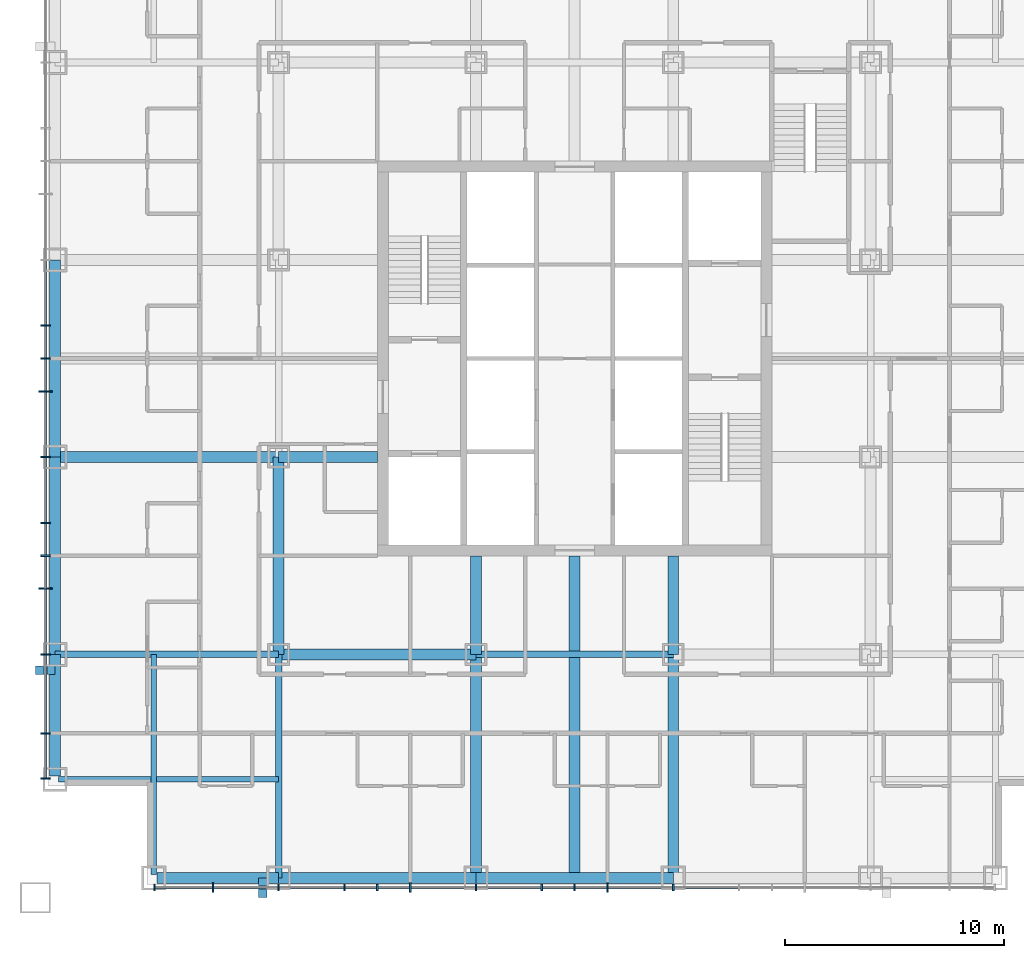
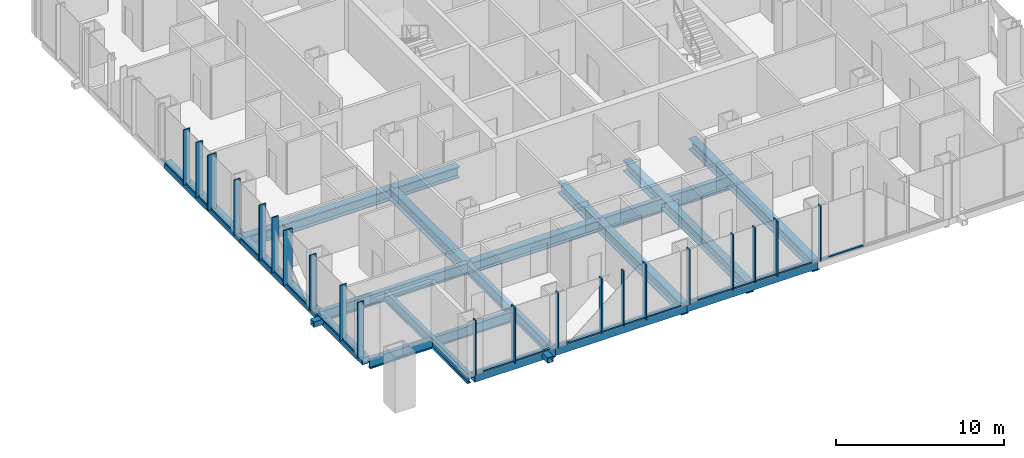
# One storey, part 2 of 16: 44 members, 20 beams, 2 elements without a shape of their own.
"""IFC4 building model written with IfcOpenShell, lengths in metres."""

from ifc_helpers import new_model, si_unit, direction, frame, origin, origin_2d, place, context, subcontext, project, spatial, rectangle, hollow_rectangle, i_section, extrude, material, layer, layer_set, material_profile, profile_set, type_object, element, aggregate, save


model = new_model("IFC4")

# Units and contexts
model_context = context("Model", 3, precision=1e-05, world=origin(), true_north=direction((0.0, 1.0)))
body_context = subcontext(model_context, "Body", "Model", "MODEL_VIEW")
ifc_project = project(units=[si_unit("LENGTHUNIT", "METRE"), si_unit("AREAUNIT", "SQUARE_METRE"), si_unit("VOLUMEUNIT", "CUBIC_METRE"), si_unit("PLANEANGLEUNIT", "RADIAN"), si_unit("MASSUNIT", "GRAM", prefix="KILO")], contexts=[model_context])

# Site, building, storey
site_placement = place(None, origin())
site = spatial("IfcSite", under=ifc_project, at=site_placement, CompositionType="ELEMENT")
building_placement = place(site_placement, origin())
building = spatial("IfcBuilding", under=site, at=building_placement, Name="Malebo Sky Hospital", CompositionType="ELEMENT")
storey_placement = place(building_placement, frame((0.0, 0.0, 108.0)))
storey = spatial("IfcBuildingStorey", under=building, at=storey_placement, Name="L25", CompositionType="ELEMENT", Elevation=108.0)

# Curtain wall, members
ifc_material_1 = material(Name="Anodised aluminium, natural silver", Category="aluminium")
ifc_layer_1 = layer(ifc_material_1, 0.25)
ifc_layer_set_1 = layer_set([ifc_layer_1], Name="WARD CURTAIN WALL EAST AND WEST")
curtain_wall_type_1 = type_object("IfcCurtainWallType", Name="WARD CURTAIN WALL EAST AND WEST", PredefinedType="NOTDEFINED", material=ifc_layer_set_1)
curtain_wall_1_placement = place(storey_placement, origin())
curtain_wall_1 = element("IfcCurtainWall", 1, at=curtain_wall_1_placement, inside=storey, type_object=curtain_wall_type_1, Name="EW curtain wall W", PredefinedType="NOTDEFINED")
ifc_material_profile_1 = material_profile(ifc_material_1, rectangle(XDim=0.14990234375, YDim=0.10009765625, at=origin_2d()), Name="ALUMINIUM TRANSOM 150x100")
ifc_profile_set_1 = profile_set([ifc_material_profile_1], Name="Anodised aluminium, natural silver")
member_type_1 = type_object("IfcMemberType", Name="ALUMINIUM TRANSOM 150x100", PredefinedType="USERDEFINED", material=ifc_profile_set_1)
member_1_placement = place(storey_placement, frame((35.864990234375, 42.875, 0.050048828125), z_axis=(0.0, 1.0, 0.0), x_axis=(-1.0, 0.0, 0.0)))
member_1 = element("IfcMember", 2, at=member_1_placement, type_object=member_type_1, Name="Transom 1", ObjectType="TRANSOM", PredefinedType="USERDEFINED", context=body_context, shape_type="SweptSolid", body=[
    extrude(rectangle(XDim=0.14990234375, YDim=0.10009765625, at=origin_2d()), origin(), (0.0, 0.0, 1.0), 1.987548828125),
])
member_2_placement = place(storey_placement, frame((35.864990234375, 44.9375, 0.050048828125), z_axis=(0.0, 1.0, 0.0), x_axis=(-1.0, 0.0, 0.0)))
member_2 = element("IfcMember", 3, at=member_2_placement, type_object=member_type_1, Name="Transom 2", ObjectType="TRANSOM", PredefinedType="USERDEFINED", context=body_context, shape_type="SweptSolid", body=[
    extrude(rectangle(XDim=0.14990234375, YDim=0.10009765625, at=origin_2d()), origin(), (0.0, 0.0, 1.0), 3.52490234375),
])
member_3_placement = place(storey_placement, frame((35.864990234375, 48.53759765625, 0.050048828125), z_axis=(0.0, 1.0, 0.0), x_axis=(-1.0, 0.0, 0.0)))
member_3 = element("IfcMember", 4, at=member_3_placement, type_object=member_type_1, Name="Transom 3", ObjectType="TRANSOM", PredefinedType="USERDEFINED", context=body_context, shape_type="SweptSolid", body=[
    extrude(rectangle(XDim=0.14990234375, YDim=0.10009765625, at=origin_2d()), origin(), (0.0, 0.0, 1.0), 2.9248046875),
])
member_4_placement = place(storey_placement, frame((35.864990234375, 51.53759765625, 0.050048828125), z_axis=(0.0, 1.0, 0.0), x_axis=(-1.0, 0.0, 0.0)))
member_4 = element("IfcMember", 5, at=member_4_placement, type_object=member_type_1, Name="Transom 4", ObjectType="TRANSOM", PredefinedType="USERDEFINED", context=body_context, shape_type="SweptSolid", body=[
    extrude(rectangle(XDim=0.14990234375, YDim=0.10009765625, at=origin_2d()), origin(), (0.0, 0.0, 1.0), 1.4248046875),
])
member_5_placement = place(storey_placement, frame((35.864990234375, 53.03759765625, 0.050048828125), z_axis=(0.0, 1.0, 0.0), x_axis=(-1.0, 0.0, 0.0)))
member_5 = element("IfcMember", 6, at=member_5_placement, type_object=member_type_1, Name="Transom 5", ObjectType="TRANSOM", PredefinedType="USERDEFINED", context=body_context, shape_type="SweptSolid", body=[
    extrude(rectangle(XDim=0.14990234375, YDim=0.10009765625, at=origin_2d()), origin(), (0.0, 0.0, 1.0), 1.4248046875),
])
member_6_placement = place(storey_placement, frame((35.864990234375, 54.53759765625, 0.050048828125), z_axis=(0.0, 1.0, 0.0), x_axis=(-1.0, 0.0, 0.0)))
member_6 = element("IfcMember", 7, at=member_6_placement, type_object=member_type_1, Name="Transom 6", ObjectType="TRANSOM", PredefinedType="USERDEFINED", context=body_context, shape_type="SweptSolid", body=[
    extrude(rectangle(XDim=0.14990234375, YDim=0.10009765625, at=origin_2d()), origin(), (0.0, 0.0, 1.0), 2.9248046875),
])
member_7_placement = place(storey_placement, frame((35.864990234375, 57.53759765625, 0.050048828125), z_axis=(0.0, 1.0, 0.0), x_axis=(-1.0, 0.0, 0.0)))
member_7 = element("IfcMember", 8, at=member_7_placement, type_object=member_type_1, Name="Transom 7", ObjectType="TRANSOM", PredefinedType="USERDEFINED", context=body_context, shape_type="SweptSolid", body=[
    extrude(rectangle(XDim=0.14990234375, YDim=0.10009765625, at=origin_2d()), origin(), (0.0, 0.0, 1.0), 2.9248046875),
])
member_8_placement = place(storey_placement, frame((35.864990234375, 60.53759765625, 0.050048828125), z_axis=(0.0, 1.0, 0.0), x_axis=(-1.0, 0.0, 0.0)))
member_8 = element("IfcMember", 9, at=member_8_placement, type_object=member_type_1, Name="Transom 8", ObjectType="TRANSOM", PredefinedType="USERDEFINED", context=body_context, shape_type="SweptSolid", body=[
    extrude(rectangle(XDim=0.14990234375, YDim=0.10009765625, at=origin_2d()), origin(), (0.0, 0.0, 1.0), 1.4248046875),
])
member_9_placement = place(storey_placement, frame((35.864990234375, 62.03759765625, 0.050048828125), z_axis=(0.0, 1.0, 0.0), x_axis=(-1.0, 0.0, 0.0)))
member_9 = element("IfcMember", 10, at=member_9_placement, type_object=member_type_1, Name="Transom 9", ObjectType="TRANSOM", PredefinedType="USERDEFINED", context=body_context, shape_type="SweptSolid", body=[
    extrude(rectangle(XDim=0.14990234375, YDim=0.10009765625, at=origin_2d()), origin(), (0.0, 0.0, 1.0), 1.4248046875),
])
member_10_placement = place(storey_placement, frame((35.864990234375, 63.53759765625, 0.050048828125), z_axis=(0.0, 1.0, 0.0), x_axis=(-1.0, 0.0, 0.0)))
member_10 = element("IfcMember", 11, at=member_10_placement, type_object=member_type_1, Name="Transom 10", ObjectType="TRANSOM", PredefinedType="USERDEFINED", context=body_context, shape_type="SweptSolid", body=[
    extrude(rectangle(XDim=0.14990234375, YDim=0.10009765625, at=origin_2d()), origin(), (0.0, 0.0, 1.0), 2.9248046875),
])

ifc_layer_2 = layer(ifc_material_1, 0.25)
ifc_layer_set_2 = layer_set([ifc_layer_2], Name="WARD CURTAIN WALL NORTH AND SOUTH")
curtain_wall_type_2 = type_object("IfcCurtainWallType", Name="WARD CURTAIN WALL NORTH AND SOUTH", PredefinedType="NOTDEFINED", material=ifc_layer_set_2)
curtain_wall_2_placement = place(storey_placement, origin())
curtain_wall_2 = element("IfcCurtainWall", 12, at=curtain_wall_2_placement, inside=storey, type_object=curtain_wall_type_2, Name="NS curtain wall S", PredefinedType="NOTDEFINED")
member_11_placement = place(storey_placement, frame((67.46240234375, 37.864990234375, 0.050048828125), z_axis=(-1.0, 0.0, 0.0), x_axis=(0.0, -1.0, 0.0)))
member_11 = element("IfcMember", 13, at=member_11_placement, type_object=member_type_1, Name="Transom 6", ObjectType="TRANSOM", PredefinedType="USERDEFINED", context=body_context, shape_type="SweptSolid", body=[
    extrude(rectangle(XDim=0.14990234375, YDim=0.10009765625, at=origin_2d()), origin(), (0.0, 0.0, 1.0), 2.9248046875),
])
member_12_placement = place(storey_placement, frame((64.46240234375, 37.864990234375, 0.050048828125), z_axis=(-1.0, 0.0, 0.0), x_axis=(0.0, -1.0, 0.0)))
member_12 = element("IfcMember", 14, at=member_12_placement, type_object=member_type_1, Name="Transom 7", ObjectType="TRANSOM", PredefinedType="USERDEFINED", context=body_context, shape_type="SweptSolid", body=[
    extrude(rectangle(XDim=0.14990234375, YDim=0.10009765625, at=origin_2d()), origin(), (0.0, 0.0, 1.0), 2.9248046875),
])
member_13_placement = place(storey_placement, frame((61.46240234375, 37.864990234375, 0.050048828125), z_axis=(-1.0, 0.0, 0.0), x_axis=(0.0, -1.0, 0.0)))
member_13 = element("IfcMember", 15, at=member_13_placement, type_object=member_type_1, Name="Transom 8", ObjectType="TRANSOM", PredefinedType="USERDEFINED", context=body_context, shape_type="SweptSolid", body=[
    extrude(rectangle(XDim=0.14990234375, YDim=0.10009765625, at=origin_2d()), origin(), (0.0, 0.0, 1.0), 1.4248046875),
])
member_14_placement = place(storey_placement, frame((59.96240234375, 37.864990234375, 0.050048828125), z_axis=(-1.0, 0.0, 0.0), x_axis=(0.0, -1.0, 0.0)))
member_14 = element("IfcMember", 16, at=member_14_placement, type_object=member_type_1, Name="Transom 9", ObjectType="TRANSOM", PredefinedType="USERDEFINED", context=body_context, shape_type="SweptSolid", body=[
    extrude(rectangle(XDim=0.14990234375, YDim=0.10009765625, at=origin_2d()), origin(), (0.0, 0.0, 1.0), 1.4248046875),
])
member_15_placement = place(storey_placement, frame((58.46240234375, 37.864990234375, 0.050048828125), z_axis=(-1.0, 0.0, 0.0), x_axis=(0.0, -1.0, 0.0)))
member_15 = element("IfcMember", 17, at=member_15_placement, type_object=member_type_1, Name="Transom 10", ObjectType="TRANSOM", PredefinedType="USERDEFINED", context=body_context, shape_type="SweptSolid", body=[
    extrude(rectangle(XDim=0.14990234375, YDim=0.10009765625, at=origin_2d()), origin(), (0.0, 0.0, 1.0), 2.9248046875),
])
member_16_placement = place(storey_placement, frame((55.46240234375, 37.864990234375, 0.050048828125), z_axis=(-1.0, 0.0, 0.0), x_axis=(0.0, -1.0, 0.0)))
member_16 = element("IfcMember", 18, at=member_16_placement, type_object=member_type_1, Name="Transom 11", ObjectType="TRANSOM", PredefinedType="USERDEFINED", context=body_context, shape_type="SweptSolid", body=[
    extrude(rectangle(XDim=0.14990234375, YDim=0.10009765625, at=origin_2d()), origin(), (0.0, 0.0, 1.0), 2.9248046875),
])
member_17_placement = place(storey_placement, frame((52.46240234375, 37.864990234375, 0.050048828125), z_axis=(-1.0, 0.0, 0.0), x_axis=(0.0, -1.0, 0.0)))
member_17 = element("IfcMember", 19, at=member_17_placement, type_object=member_type_1, Name="Transom 12", ObjectType="TRANSOM", PredefinedType="USERDEFINED", context=body_context, shape_type="SweptSolid", body=[
    extrude(rectangle(XDim=0.14990234375, YDim=0.10009765625, at=origin_2d()), origin(), (0.0, 0.0, 1.0), 1.4248046875),
])
member_18_placement = place(storey_placement, frame((50.96240234375, 37.864990234375, 0.050048828125), z_axis=(-1.0, 0.0, 0.0), x_axis=(0.0, -1.0, 0.0)))
member_18 = element("IfcMember", 20, at=member_18_placement, type_object=member_type_1, Name="Transom 13", ObjectType="TRANSOM", PredefinedType="USERDEFINED", context=body_context, shape_type="SweptSolid", body=[
    extrude(rectangle(XDim=0.14990234375, YDim=0.10009765625, at=origin_2d()), origin(), (0.0, 0.0, 1.0), 1.4248046875),
])
member_19_placement = place(storey_placement, frame((49.46240234375, 37.864990234375, 0.050048828125), z_axis=(-1.0, 0.0, 0.0), x_axis=(0.0, -1.0, 0.0)))
member_19 = element("IfcMember", 21, at=member_19_placement, type_object=member_type_1, Name="Transom 14", ObjectType="TRANSOM", PredefinedType="USERDEFINED", context=body_context, shape_type="SweptSolid", body=[
    extrude(rectangle(XDim=0.14990234375, YDim=0.10009765625, at=origin_2d()), origin(), (0.0, 0.0, 1.0), 2.9248046875),
])
member_20_placement = place(storey_placement, frame((46.46240234375, 37.864990234375, 0.050048828125), z_axis=(-1.0, 0.0, 0.0), x_axis=(0.0, -1.0, 0.0)))
member_20 = element("IfcMember", 22, at=member_20_placement, type_object=member_type_1, Name="Transom 15", ObjectType="TRANSOM", PredefinedType="USERDEFINED", context=body_context, shape_type="SweptSolid", body=[
    extrude(rectangle(XDim=0.14990234375, YDim=0.10009765625, at=origin_2d()), origin(), (0.0, 0.0, 1.0), 2.9248046875),
])
member_21_placement = place(storey_placement, frame((43.46240234375, 37.864990234375, 0.050048828125), z_axis=(-1.0, 0.0, 0.0), x_axis=(0.0, -1.0, 0.0)))
member_21 = element("IfcMember", 23, at=member_21_placement, type_object=member_type_1, Name="Transom 16", ObjectType="TRANSOM", PredefinedType="USERDEFINED", context=body_context, shape_type="SweptSolid", body=[
    extrude(rectangle(XDim=0.14990234375, YDim=0.10009765625, at=origin_2d()), origin(), (0.0, 0.0, 1.0), 2.58740234375),
])

# Members
ifc_material_2 = material(Name="Steel S355", Category="steel")
ifc_material_profile_2 = material_profile(ifc_material_2, hollow_rectangle(XDim=0.39990234375, YDim=0.39990234375, WallThickness=0.02001953125, at=origin_2d()), Name="SHS 400x20")
ifc_profile_set_2 = profile_set([ifc_material_profile_2], Name="Steel S355")
member_type_2 = type_object("IfcMemberType", Name="BRACE STRUT SHS 400x20", PredefinedType="STRUT", material=ifc_profile_set_2)
for number, where, z_axis, x_axis, name in (
    (24, (45.77392578125, 37.39990234375, -0.39990234375), (0.0, 1.0, 0.0), (-1.0, 0.0, 0.0), "Brace strut BS1 L25"),
    (25, (35.39990234375, 47.77392578125, -0.39990234375), (1.0, 0.0, 0.0), (0.0, 1.0, 0.0), "Brace strut BW2 L25"),
):
    element("IfcMember", number, at=place(storey_placement, frame(where, z_axis=z_axis, x_axis=x_axis)), inside=storey, type_object=member_type_2, Name=name, PredefinedType="STRUT", context=body_context, shape_type="SweptSolid", body=[
        extrude(hollow_rectangle(XDim=0.39990234375, YDim=0.39990234375, WallThickness=0.02001953125, at=origin_2d()), origin(), (0.0, 0.0, 1.0), 0.900146484375),
    ])

# Member
ifc_material_profile_3 = material_profile(ifc_material_1, rectangle(XDim=0.074951171875, YDim=0.300048828125, at=origin_2d()), Name="CW1 ALUMINIUM FIN MULLION 75x300")
ifc_profile_set_3 = profile_set([ifc_material_profile_3], Name="Anodised aluminium, natural silver")
member_type_3 = type_object("IfcMemberType", Name="CW1 ALUMINIUM FIN MULLION 75x300", PredefinedType="MULLION", material=ifc_profile_set_3)
member_22_placement = place(storey_placement, frame((64.5, 37.864990234375, 0.0), z_axis=(0.0, 0.0, 1.0), x_axis=(-1.0, 0.0, 0.0)))
member_22 = element("IfcMember", 26, at=member_22_placement, type_object=member_type_3, Name="Fin mullion 7", PredefinedType="MULLION", context=body_context, shape_type="SweptSolid", body=[
    extrude(rectangle(XDim=0.074951171875, YDim=0.300048828125, at=origin_2d()), origin(), (0.0, 0.0, 1.0), 4.0),
])

member_23_placement = place(storey_placement, frame((60.0, 37.864990234375, 0.0), z_axis=(0.0, 0.0, 1.0), x_axis=(-1.0, 0.0, 0.0)))
member_23 = element("IfcMember", 27, at=member_23_placement, type_object=member_type_3, Name="Fin mullion 9", PredefinedType="MULLION", context=body_context, shape_type="SweptSolid", body=[
    extrude(rectangle(XDim=0.074951171875, YDim=0.300048828125, at=origin_2d()), origin(), (0.0, 0.0, 1.0), 4.0),
])

member_24_placement = place(storey_placement, frame((58.5, 37.864990234375, 0.0), z_axis=(0.0, 0.0, 1.0), x_axis=(-1.0, 0.0, 0.0)))
member_24 = element("IfcMember", 28, at=member_24_placement, type_object=member_type_3, Name="Fin mullion 10", PredefinedType="MULLION", context=body_context, shape_type="SweptSolid", body=[
    extrude(rectangle(XDim=0.074951171875, YDim=0.300048828125, at=origin_2d()), origin(), (0.0, 0.0, 1.0), 4.0),
])

member_25_placement = place(storey_placement, frame((55.5, 37.864990234375, 0.0), z_axis=(0.0, 0.0, 1.0), x_axis=(-1.0, 0.0, 0.0)))
member_25 = element("IfcMember", 29, at=member_25_placement, type_object=member_type_3, Name="Fin mullion 11", PredefinedType="MULLION", context=body_context, shape_type="SweptSolid", body=[
    extrude(rectangle(XDim=0.074951171875, YDim=0.300048828125, at=origin_2d()), origin(), (0.0, 0.0, 1.0), 4.0),
])

member_26_placement = place(storey_placement, frame((51.0, 37.864990234375, 0.0), z_axis=(0.0, 0.0, 1.0), x_axis=(-1.0, 0.0, 0.0)))
member_26 = element("IfcMember", 30, at=member_26_placement, type_object=member_type_3, Name="Fin mullion 13", PredefinedType="MULLION", context=body_context, shape_type="SweptSolid", body=[
    extrude(rectangle(XDim=0.074951171875, YDim=0.300048828125, at=origin_2d()), origin(), (0.0, 0.0, 1.0), 4.0),
])

member_27_placement = place(storey_placement, frame((49.5, 37.864990234375, 0.0), z_axis=(0.0, 0.0, 1.0), x_axis=(-1.0, 0.0, 0.0)))
member_27 = element("IfcMember", 31, at=member_27_placement, type_object=member_type_3, Name="Fin mullion 14", PredefinedType="MULLION", context=body_context, shape_type="SweptSolid", body=[
    extrude(rectangle(XDim=0.074951171875, YDim=0.300048828125, at=origin_2d()), origin(), (0.0, 0.0, 1.0), 4.0),
])

member_28_placement = place(storey_placement, frame((46.5, 37.864990234375, 0.0), z_axis=(0.0, 0.0, 1.0), x_axis=(-1.0, 0.0, 0.0)))
member_28 = element("IfcMember", 32, at=member_28_placement, type_object=member_type_3, Name="Fin mullion 15", PredefinedType="MULLION", context=body_context, shape_type="SweptSolid", body=[
    extrude(rectangle(XDim=0.074951171875, YDim=0.300048828125, at=origin_2d()), origin(), (0.0, 0.0, 1.0), 4.0),
])

member_29_placement = place(storey_placement, frame((40.83740234375, 37.864990234375, 0.0), z_axis=(0.0, 0.0, 1.0), x_axis=(-1.0, 0.0, 0.0)))
member_29 = element("IfcMember", 33, at=member_29_placement, type_object=member_type_3, Name="Fin mullion 17", PredefinedType="MULLION", context=body_context, shape_type="SweptSolid", body=[
    extrude(rectangle(XDim=0.074951171875, YDim=0.300048828125, at=origin_2d()), origin(), (0.0, 0.0, 1.0), 4.0),
])

ifc_material_profile_4 = material_profile(ifc_material_1, rectangle(XDim=0.074951171875, YDim=0.449951171875, at=origin_2d()), Name="CW1 ALUMINIUM FIN MULLION 75x450")
ifc_profile_set_4 = profile_set([ifc_material_profile_4], Name="Anodised aluminium, natural silver")
member_type_4 = type_object("IfcMemberType", Name="CW1 ALUMINIUM FIN MULLION 75x450", PredefinedType="MULLION", material=ifc_profile_set_4)
member_30_placement = place(storey_placement, frame((61.5, 37.864990234375, 0.0), z_axis=(0.0, 0.0, 1.0), x_axis=(-1.0, 0.0, 0.0)))
member_30 = element("IfcMember", 34, at=member_30_placement, type_object=member_type_4, Name="Fin mullion 8", PredefinedType="MULLION", context=body_context, shape_type="SweptSolid", body=[
    extrude(rectangle(XDim=0.074951171875, YDim=0.449951171875, at=origin_2d()), origin(), (0.0, 0.0, 1.0), 4.0),
])

member_31_placement = place(storey_placement, frame((52.5, 37.864990234375, 0.0), z_axis=(0.0, 0.0, 1.0), x_axis=(-1.0, 0.0, 0.0)))
member_31 = element("IfcMember", 35, at=member_31_placement, type_object=member_type_4, Name="Fin mullion 12", PredefinedType="MULLION", context=body_context, shape_type="SweptSolid", body=[
    extrude(rectangle(XDim=0.074951171875, YDim=0.449951171875, at=origin_2d()), origin(), (0.0, 0.0, 1.0), 4.0),
])

member_32_placement = place(storey_placement, frame((43.5, 37.864990234375, 0.0), z_axis=(0.0, 0.0, 1.0), x_axis=(-1.0, 0.0, 0.0)))
member_32 = element("IfcMember", 36, at=member_32_placement, type_object=member_type_4, Name="Fin mullion 16", PredefinedType="MULLION", context=body_context, shape_type="SweptSolid", body=[
    extrude(rectangle(XDim=0.074951171875, YDim=0.449951171875, at=origin_2d()), origin(), (0.0, 0.0, 1.0), 4.0),
])

aggregate(curtain_wall_2, [member_22, member_30, member_23, member_24, member_25, member_31, member_26, member_27, member_28, member_32, member_29, member_11, member_12, member_13, member_14, member_15, member_16, member_17, member_18, member_19, member_20, member_21])

ifc_material_profile_5 = material_profile(ifc_material_1, rectangle(XDim=0.074951171875, YDim=0.449951171875, at=origin_2d()), Name="CW2 ALUMINIUM FIN MULLION 75x450")
ifc_profile_set_5 = profile_set([ifc_material_profile_5], Name="Anodised aluminium, natural silver")
member_type_5 = type_object("IfcMemberType", Name="CW2 ALUMINIUM FIN MULLION 75x450", PredefinedType="MULLION", material=ifc_profile_set_5)
member_33_placement = place(storey_placement, frame((35.864990234375, 42.83740234375, 0.0), z_axis=(0.0, 0.0, 1.0), x_axis=(0.0, 1.0, 0.0)))
member_33 = element("IfcMember", 37, at=member_33_placement, type_object=member_type_5, Name="Fin mullion 1", PredefinedType="MULLION", context=body_context, shape_type="SweptSolid", body=[
    extrude(rectangle(XDim=0.074951171875, YDim=0.449951171875, at=origin_2d()), origin(), (0.0, 0.0, 1.0), 4.0),
])

member_34_placement = place(storey_placement, frame((35.864990234375, 44.89990234375, 0.0), z_axis=(0.0, 0.0, 1.0), x_axis=(0.0, 1.0, 0.0)))
member_34 = element("IfcMember", 38, at=member_34_placement, type_object=member_type_5, Name="Fin mullion 2", PredefinedType="MULLION", context=body_context, shape_type="SweptSolid", body=[
    extrude(rectangle(XDim=0.074951171875, YDim=0.449951171875, at=origin_2d()), origin(), (0.0, 0.0, 1.0), 4.0),
])

member_35_placement = place(storey_placement, frame((35.864990234375, 48.5, 0.0), z_axis=(0.0, 0.0, 1.0), x_axis=(0.0, 1.0, 0.0)))
member_35 = element("IfcMember", 39, at=member_35_placement, type_object=member_type_5, Name="Fin mullion 3", PredefinedType="MULLION", context=body_context, shape_type="SweptSolid", body=[
    extrude(rectangle(XDim=0.074951171875, YDim=0.449951171875, at=origin_2d()), origin(), (0.0, 0.0, 1.0), 4.0),
])

member_36_placement = place(storey_placement, frame((35.864990234375, 53.0, 0.0), z_axis=(0.0, 0.0, 1.0), x_axis=(0.0, 1.0, 0.0)))
member_36 = element("IfcMember", 40, at=member_36_placement, type_object=member_type_5, Name="Fin mullion 5", PredefinedType="MULLION", context=body_context, shape_type="SweptSolid", body=[
    extrude(rectangle(XDim=0.074951171875, YDim=0.449951171875, at=origin_2d()), origin(), (0.0, 0.0, 1.0), 4.0),
])

member_37_placement = place(storey_placement, frame((35.864990234375, 54.5, 0.0), z_axis=(0.0, 0.0, 1.0), x_axis=(0.0, 1.0, 0.0)))
member_37 = element("IfcMember", 41, at=member_37_placement, type_object=member_type_5, Name="Fin mullion 6", PredefinedType="MULLION", context=body_context, shape_type="SweptSolid", body=[
    extrude(rectangle(XDim=0.074951171875, YDim=0.449951171875, at=origin_2d()), origin(), (0.0, 0.0, 1.0), 4.0),
])

member_38_placement = place(storey_placement, frame((35.864990234375, 57.5, 0.0), z_axis=(0.0, 0.0, 1.0), x_axis=(0.0, 1.0, 0.0)))
member_38 = element("IfcMember", 42, at=member_38_placement, type_object=member_type_5, Name="Fin mullion 7", PredefinedType="MULLION", context=body_context, shape_type="SweptSolid", body=[
    extrude(rectangle(XDim=0.074951171875, YDim=0.449951171875, at=origin_2d()), origin(), (0.0, 0.0, 1.0), 4.0),
])

member_39_placement = place(storey_placement, frame((35.864990234375, 62.0, 0.0), z_axis=(0.0, 0.0, 1.0), x_axis=(0.0, 1.0, 0.0)))
member_39 = element("IfcMember", 43, at=member_39_placement, type_object=member_type_5, Name="Fin mullion 9", PredefinedType="MULLION", context=body_context, shape_type="SweptSolid", body=[
    extrude(rectangle(XDim=0.074951171875, YDim=0.449951171875, at=origin_2d()), origin(), (0.0, 0.0, 1.0), 4.0),
])

member_40_placement = place(storey_placement, frame((35.864990234375, 63.5, 0.0), z_axis=(0.0, 0.0, 1.0), x_axis=(0.0, 1.0, 0.0)))
member_40 = element("IfcMember", 44, at=member_40_placement, type_object=member_type_5, Name="Fin mullion 10", PredefinedType="MULLION", context=body_context, shape_type="SweptSolid", body=[
    extrude(rectangle(XDim=0.074951171875, YDim=0.449951171875, at=origin_2d()), origin(), (0.0, 0.0, 1.0), 4.0),
])

ifc_material_profile_6 = material_profile(ifc_material_1, rectangle(XDim=0.074951171875, YDim=0.60009765625, at=origin_2d()), Name="CW2 ALUMINIUM FIN MULLION 75x600")
ifc_profile_set_6 = profile_set([ifc_material_profile_6], Name="Anodised aluminium, natural silver")
member_type_6 = type_object("IfcMemberType", Name="CW2 ALUMINIUM FIN MULLION 75x600", PredefinedType="MULLION", material=ifc_profile_set_6)
member_41_placement = place(storey_placement, frame((35.864990234375, 51.5, 0.0), z_axis=(0.0, 0.0, 1.0), x_axis=(0.0, 1.0, 0.0)))
member_41 = element("IfcMember", 45, at=member_41_placement, type_object=member_type_6, Name="Fin mullion 4", PredefinedType="MULLION", context=body_context, shape_type="SweptSolid", body=[
    extrude(rectangle(XDim=0.074951171875, YDim=0.60009765625, at=origin_2d()), origin(), (0.0, 0.0, 1.0), 4.0),
])

member_42_placement = place(storey_placement, frame((35.864990234375, 60.5, 0.0), z_axis=(0.0, 0.0, 1.0), x_axis=(0.0, 1.0, 0.0)))
member_42 = element("IfcMember", 46, at=member_42_placement, type_object=member_type_6, Name="Fin mullion 8", PredefinedType="MULLION", context=body_context, shape_type="SweptSolid", body=[
    extrude(rectangle(XDim=0.074951171875, YDim=0.60009765625, at=origin_2d()), origin(), (0.0, 0.0, 1.0), 4.0),
])

aggregate(curtain_wall_1, [member_33, member_34, member_35, member_41, member_36, member_37, member_38, member_42, member_39, member_40, member_1, member_2, member_3, member_4, member_5, member_6, member_7, member_8, member_9, member_10])

# Beams
ifc_material_3 = material(Name="Steel S460", Category="steel")
ifc_material_profile_7 = material_profile(ifc_material_3, hollow_rectangle(XDim=0.5, YDim=0.5, WallThickness=0.030029296875, at=origin_2d()), Name="BOX 500x500x30")
ifc_profile_set_7 = profile_set([ifc_material_profile_7], Name="Steel S460")
beam_type_1 = type_object("IfcBeamType", Name="EDGE BEAM BOX 500x500x30", PredefinedType="BEAM", material=ifc_profile_set_7)
beam_1_placement = place(storey_placement, frame((36.300048828125, 42.949951171875, -0.5), z_axis=(0.0, 1.0, 0.0), x_axis=(-1.0, 0.0, 0.0)))
element("IfcBeam", 47, at=beam_1_placement, inside=storey, type_object=beam_type_1, Name="Beam 000 L25", PredefinedType="BEAM", context=body_context, shape_type="SweptSolid", body=[
    extrude(hollow_rectangle(XDim=0.5, YDim=0.5, WallThickness=0.030029296875, at=origin_2d()), origin(), (0.0, 0.0, 1.0), 5.550048828125),
])
for number, where, z_axis, x_axis, name in (
    (48, (36.300048828125, 48.5, -0.5), (0.0, 1.0, 0.0), (-1.0, 0.0, 0.0), "Beam 001 L25"),
    (49, (36.300048828125, 57.5, -0.5), (0.0, 1.0, 0.0), (-1.0, 0.0, 0.0), "Beam 002 L25"),
):
    element("IfcBeam", number, at=place(storey_placement, frame(where, z_axis=z_axis, x_axis=x_axis)), inside=storey, type_object=beam_type_1, Name=name, PredefinedType="BEAM", context=body_context, shape_type="SweptSolid", body=[
        extrude(hollow_rectangle(XDim=0.5, YDim=0.5, WallThickness=0.030029296875, at=origin_2d()), origin(), (0.0, 0.0, 1.0), 9.0),
    ])
beam_2_placement = place(storey_placement, frame((40.949951171875, 38.300048828125, -0.5), z_axis=(1.0, 0.0, 0.0), x_axis=(0.0, 1.0, 0.0)))
element("IfcBeam", 50, at=beam_2_placement, inside=storey, type_object=beam_type_1, Name="Beam 034 L25", PredefinedType="BEAM", context=body_context, shape_type="SweptSolid", body=[
    extrude(hollow_rectangle(XDim=0.5, YDim=0.5, WallThickness=0.030029296875, at=origin_2d()), origin(), (0.0, 0.0, 1.0), 5.550048828125),
])
for number, where, z_axis, x_axis, name in (
    (51, (46.5, 38.300048828125, -0.5), (1.0, 0.0, 0.0), (0.0, 1.0, 0.0), "Beam 035 L25"),
    (52, (55.5, 38.300048828125, -0.5), (1.0, 0.0, 0.0), (0.0, 1.0, 0.0), "Beam 036 L25"),
):
    element("IfcBeam", number, at=place(storey_placement, frame(where, z_axis=z_axis, x_axis=x_axis)), inside=storey, type_object=beam_type_1, Name=name, PredefinedType="BEAM", context=body_context, shape_type="SweptSolid", body=[
        extrude(hollow_rectangle(XDim=0.5, YDim=0.5, WallThickness=0.030029296875, at=origin_2d()), origin(), (0.0, 0.0, 1.0), 9.0),
    ])
ifc_material_profile_8 = material_profile(ifc_material_2, i_section(OverallWidth=0.262939453125, OverallDepth=0.7529296875, WebThickness=0.011474609375, FlangeThickness=0.01708984375, FilletRadius=0.01708984375, at=origin_2d()), Name="IPE 750x137")
ifc_profile_set_8 = profile_set([ifc_material_profile_8], Name="Steel S355")
beam_type_2 = type_object("IfcBeamType", Name="FLOOR BEAM IPE 750x137", PredefinedType="BEAM", material=ifc_profile_set_8)
for number, where, z_axis, x_axis, name in (
    (53, (40.800048828125, 38.449951171875, -0.62646484375), (0.0, 1.0, 0.0), (-1.0, 0.0, 0.0), "Beam 005 L25"),
    (54, (36.449951171875, 42.800048828125, -0.62646484375), (1.0, 0.0, 0.0), (0.0, 1.0, 0.0), "Beam 039 L25"),
):
    element("IfcBeam", number, at=place(storey_placement, frame(where, z_axis=z_axis, x_axis=x_axis)), inside=storey, type_object=beam_type_2, Name=name, PredefinedType="BEAM", context=body_context, shape_type="SweptSolid", body=[
        extrude(i_section(OverallWidth=0.262939453125, OverallDepth=0.7529296875, WebThickness=0.011474609375, FlangeThickness=0.01708984375, FilletRadius=0.01708984375, at=origin_2d()), origin(), (0.0, 0.0, 1.0), 10.050048828125),
    ])
ifc_material_profile_9 = material_profile(ifc_material_2, i_section(OverallWidth=0.5, OverallDepth=0.800048828125, WebThickness=0.030029296875, FlangeThickness=0.050048828125, at=origin_2d()), Name="PG 800x500x30x50")
ifc_profile_set_9 = profile_set([ifc_material_profile_9], Name="Steel S355")
beam_type_3 = type_object("IfcBeamType", Name="FLOOR BEAM PG 800x500x30x50", PredefinedType="BEAM", material=ifc_profile_set_9)
beam_3_placement = place(storey_placement, frame((46.5, 48.5, -0.64990234375), z_axis=(0.0, 1.0, 0.0), x_axis=(-1.0, 0.0, 0.0)))
element("IfcBeam", 55, at=beam_3_placement, inside=storey, type_object=beam_type_3, Name="Beam 008 L25", PredefinedType="BEAM", context=body_context, shape_type="SweptSolid", body=[
    extrude(i_section(OverallWidth=0.5, OverallDepth=0.800048828125, WebThickness=0.030029296875, FlangeThickness=0.050048828125, at=origin_2d()), origin(), (0.0, 0.0, 1.0), 9.0),
])
beam_4_placement = place(storey_placement, frame((55.5, 38.300048828125, -0.64990234375), z_axis=(0.0, 1.0, 0.0), x_axis=(-1.0, 0.0, 0.0)))
element("IfcBeam", 56, at=beam_4_placement, inside=storey, type_object=beam_type_3, Name="Beam 012 L25", PredefinedType="BEAM", context=body_context, shape_type="SweptSolid", body=[
    extrude(i_section(OverallWidth=0.5, OverallDepth=0.800048828125, WebThickness=0.030029296875, FlangeThickness=0.050048828125, at=origin_2d()), origin(), (0.0, 0.0, 1.0), 10.199951171875),
])
beam_5_placement = place(storey_placement, frame((55.5, 48.5, -0.64990234375), z_axis=(0.0, 1.0, 0.0), x_axis=(-1.0, 0.0, 0.0)))
element("IfcBeam", 57, at=beam_5_placement, inside=storey, type_object=beam_type_3, Name="Beam 013 L25", PredefinedType="BEAM", context=body_context, shape_type="SweptSolid", body=[
    extrude(i_section(OverallWidth=0.5, OverallDepth=0.800048828125, WebThickness=0.030029296875, FlangeThickness=0.050048828125, at=origin_2d()), origin(), (0.0, 0.0, 1.0), 4.5),
])
beam_6_placement = place(storey_placement, frame((60.0, 38.300048828125, -0.64990234375), z_axis=(0.0, 1.0, 0.0), x_axis=(-1.0, 0.0, 0.0)))
element("IfcBeam", 58, at=beam_6_placement, inside=storey, type_object=beam_type_3, Name="Beam 016 L25", PredefinedType="BEAM", context=body_context, shape_type="SweptSolid", body=[
    extrude(i_section(OverallWidth=0.5, OverallDepth=0.800048828125, WebThickness=0.030029296875, FlangeThickness=0.050048828125, at=origin_2d()), origin(), (0.0, 0.0, 1.0), 14.699951171875),
])
beam_7_placement = place(storey_placement, frame((64.5, 38.300048828125, -0.64990234375), z_axis=(0.0, 1.0, 0.0), x_axis=(-1.0, 0.0, 0.0)))
element("IfcBeam", 59, at=beam_7_placement, inside=storey, type_object=beam_type_3, Name="Beam 018 L25", PredefinedType="BEAM", context=body_context, shape_type="SweptSolid", body=[
    extrude(i_section(OverallWidth=0.5, OverallDepth=0.800048828125, WebThickness=0.030029296875, FlangeThickness=0.050048828125, at=origin_2d()), origin(), (0.0, 0.0, 1.0), 10.199951171875),
])
beam_8_placement = place(storey_placement, frame((64.5, 48.5, -0.64990234375), z_axis=(0.0, 1.0, 0.0), x_axis=(-1.0, 0.0, 0.0)))
element("IfcBeam", 60, at=beam_8_placement, inside=storey, type_object=beam_type_3, Name="Beam 019 L25", PredefinedType="BEAM", context=body_context, shape_type="SweptSolid", body=[
    extrude(i_section(OverallWidth=0.5, OverallDepth=0.800048828125, WebThickness=0.030029296875, FlangeThickness=0.050048828125, at=origin_2d()), origin(), (0.0, 0.0, 1.0), 4.5),
])
beam_9_placement = place(storey_placement, frame((46.5, 48.5, -0.64990234375), z_axis=(1.0, 0.0, 0.0), x_axis=(0.0, 1.0, 0.0)))
element("IfcBeam", 61, at=beam_9_placement, inside=storey, type_object=beam_type_3, Name="Beam 042 L25", PredefinedType="BEAM", context=body_context, shape_type="SweptSolid", body=[
    extrude(i_section(OverallWidth=0.5, OverallDepth=0.800048828125, WebThickness=0.030029296875, FlangeThickness=0.050048828125, at=origin_2d()), origin(), (0.0, 0.0, 1.0), 9.0),
])
beam_10_placement = place(storey_placement, frame((36.300048828125, 57.5, -0.64990234375), z_axis=(1.0, 0.0, 0.0), x_axis=(0.0, 1.0, 0.0)))
element("IfcBeam", 62, at=beam_10_placement, inside=storey, type_object=beam_type_3, Name="Beam 046 L25", PredefinedType="BEAM", context=body_context, shape_type="SweptSolid", body=[
    extrude(i_section(OverallWidth=0.5, OverallDepth=0.800048828125, WebThickness=0.030029296875, FlangeThickness=0.050048828125, at=origin_2d()), origin(), (0.0, 0.0, 1.0), 10.199951171875),
])
beam_11_placement = place(storey_placement, frame((46.5, 57.5, -0.64990234375), z_axis=(1.0, 0.0, 0.0), x_axis=(0.0, 1.0, 0.0)))
element("IfcBeam", 63, at=beam_11_placement, inside=storey, type_object=beam_type_3, Name="Beam 047 L25", PredefinedType="BEAM", context=body_context, shape_type="SweptSolid", body=[
    extrude(i_section(OverallWidth=0.5, OverallDepth=0.800048828125, WebThickness=0.030029296875, FlangeThickness=0.050048828125, at=origin_2d()), origin(), (0.0, 0.0, 1.0), 4.5),
])
ifc_material_profile_10 = material_profile(ifc_material_2, i_section(OverallWidth=0.300048828125, OverallDepth=0.800048828125, WebThickness=0.017578125, FlangeThickness=0.032958984375, FilletRadius=0.030029296875, at=origin_2d()), Name="HEB 800")
ifc_profile_set_10 = profile_set([ifc_material_profile_10], Name="Steel S355")
beam_type_4 = type_object("IfcBeamType", Name="FLOOR GIRDER HEB 800", PredefinedType="BEAM", material=ifc_profile_set_10)
for number, where, z_axis, x_axis, name in (
    (64, (46.5, 38.300048828125, -0.64990234375), (0.0, 1.0, 0.0), (-1.0, 0.0, 0.0), "Beam 007 L25"),
    (65, (36.300048828125, 48.5, -0.64990234375), (1.0, 0.0, 0.0), (0.0, 1.0, 0.0), "Beam 041 L25"),
):
    element("IfcBeam", number, at=place(storey_placement, frame(where, z_axis=z_axis, x_axis=x_axis)), inside=storey, type_object=beam_type_4, Name=name, PredefinedType="BEAM", context=body_context, shape_type="SweptSolid", body=[
        extrude(i_section(OverallWidth=0.300048828125, OverallDepth=0.800048828125, WebThickness=0.017578125, FlangeThickness=0.032958984375, FilletRadius=0.030029296875, at=origin_2d()), origin(), (0.0, 0.0, 1.0), 10.199951171875),
    ])
ifc_material_profile_11 = material_profile(ifc_material_2, i_section(OverallWidth=0.300048828125, OverallDepth=1.0, WebThickness=0.01904296875, FlangeThickness=0.035888671875, FilletRadius=0.030029296875, at=origin_2d()), Name="HEB 1000")
ifc_profile_set_11 = profile_set([ifc_material_profile_11], Name="Steel S355")
beam_type_5 = type_object("IfcBeamType", Name="RING GIRDER HEB 1000", PredefinedType="BEAM", material=ifc_profile_set_11)
beam_12_placement = place(storey_placement, frame((55.5, 48.5, -0.75), z_axis=(1.0, 0.0, 0.0), x_axis=(0.0, 1.0, 0.0)))
element("IfcBeam", 66, at=beam_12_placement, inside=storey, type_object=beam_type_5, Name="Beam 043 L25", PredefinedType="BEAM", context=body_context, shape_type="SweptSolid", body=[
    extrude(i_section(OverallWidth=0.300048828125, OverallDepth=1.0, WebThickness=0.01904296875, FlangeThickness=0.035888671875, FilletRadius=0.030029296875, at=origin_2d()), origin(), (0.0, 0.0, 1.0), 9.0),
])

save(model, "model.ifc")
